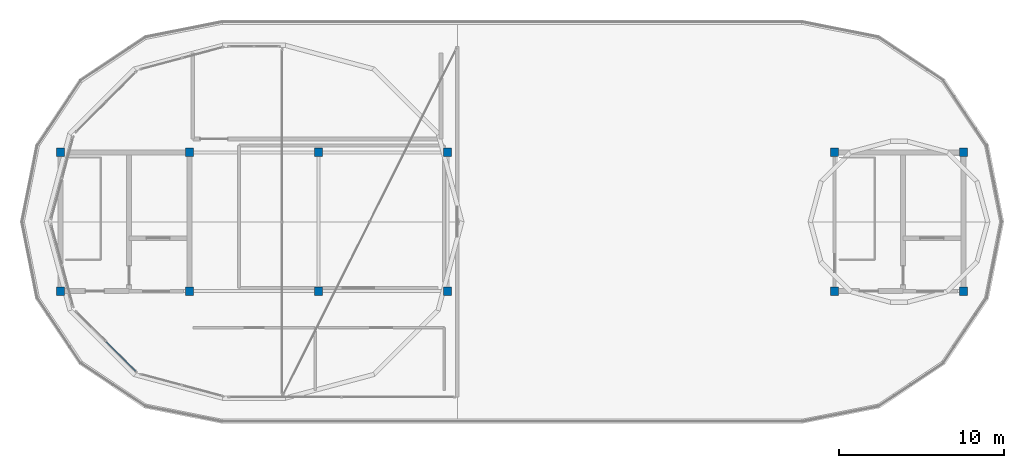
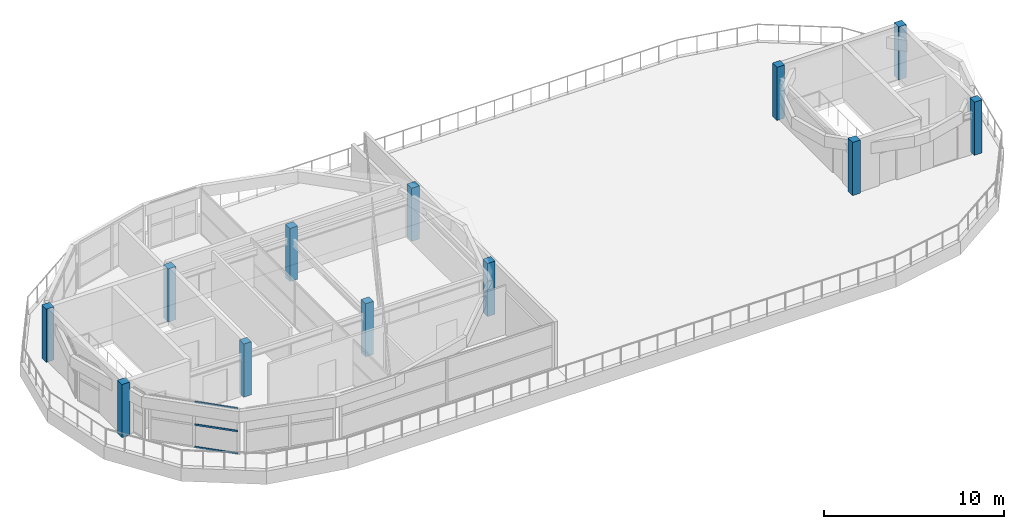
# One storey, part 1 of 15: 12 columns, 3 members, 1 element without a shape of its own.
"""IFC4 building model written with IfcOpenShell, lengths in metres."""

import ifcopenshell
import ifcopenshell.guid

model = None  # the IFC model being written
_history = None  # IfcOwnerHistory: only IFC2X3 demands one
_inside = {}  # id of a spatial element -> (the spatial element, [elements in it])
_under = {}  # id of a project, library or spatial element -> (it, [spatial elements below it])
_declared = {}  # id of a project -> (the project, [libraries it declares])
_typed = {}  # id of a type object -> (the type object, [elements of that type])
_made_of = {}  # id of a material, layer set ... -> (it, [elements and type objects made of it])


def new_model(schema):
    """Start an empty IFC model of exactly this schema.

    Asked for "IFC4X3", IfcOpenShell would pick the latest addendum, in which some entities
    have other attributes; the version numbers below select the first issue.
    IFC2X3 requires an IfcOwnerHistory on every rooted entity: one is made here for all.
    """
    global model, _history
    if schema == "IFC4X3":
        model = ifcopenshell.file(schema_version=(4, 3, 0, 0))
    else:
        model = ifcopenshell.file(schema=schema)
    _inside.clear()
    _under.clear()
    _declared.clear()
    _typed.clear()
    _made_of.clear()
    _history = None
    if model.schema == "IFC2X3":
        org = make("IfcOrganization", Name="unknown")
        user = make(
            "IfcPersonAndOrganization",
            ThePerson=make("IfcPerson", FamilyName="unknown"),
            TheOrganization=org,
        )
        app = make(
            "IfcApplication",
            ApplicationDeveloper=org,
            Version="unknown",
            ApplicationFullName="unknown",
            ApplicationIdentifier="unknown",
        )
        _history = make(
            "IfcOwnerHistory",
            OwningUser=user,
            OwningApplication=app,
            ChangeAction="ADDED",
            CreationDate=0,
        )
    return model


def make(cls, **values):
    """One entity of the class cls with the attributes given. An attribute that is None is left unset."""
    return model.create_entity(
        cls, **{name: value for name, value in values.items() if value is not None}
    )


def rooted(cls, **values):
    """An entity with a GlobalId (a new one), such as an element, a storey or a relation."""
    return make(cls, GlobalId=ifcopenshell.guid.new(), OwnerHistory=_history, **values)


def si_unit(unit_type, name, prefix=None):
    """IfcSIUnit, for example si_unit("LENGTHUNIT", "METRE", prefix="MILLI")."""
    return make("IfcSIUnit", UnitType=unit_type, Prefix=prefix, Name=name)


def assignment(units):
    """IfcUnitAssignment: the units of a project."""
    return None if units is None else make("IfcUnitAssignment", Units=units)


def point(xyz):
    """IfcCartesianPoint."""
    return None if xyz is None else make("IfcCartesianPoint", Coordinates=xyz)


def direction(xyz):
    """IfcDirection."""
    return None if xyz is None else make("IfcDirection", DirectionRatios=xyz)


def frame(location, z_axis=None, x_axis=None):
    """IfcAxis2Placement3D, a coordinate frame: its origin and axes. An axis left out is left unset."""
    return make(
        "IfcAxis2Placement3D",
        Location=point(location),
        Axis=direction(z_axis),
        RefDirection=direction(x_axis),
    )


def frame_2d(location, x_axis=None):
    """IfcAxis2Placement2D, a coordinate frame in the plane: its origin and x axis."""
    return make(
        "IfcAxis2Placement2D", Location=point(location), RefDirection=direction(x_axis)
    )


def origin():
    """The frame at (0, 0, 0) with its axes left unset."""
    return frame((0.0, 0.0, 0.0))


def origin_2d():
    """The frame at (0, 0) in the plane with its x axis left unset."""
    return frame_2d((0.0, 0.0))


def place(relative_to, where):
    """IfcLocalPlacement: puts the frame where relative to a parent placement (None: the world)."""
    return make(
        "IfcLocalPlacement", PlacementRelTo=relative_to, RelativePlacement=where
    )


def context(
    kind, dimensions, precision=None, world=None, true_north=None, identifier=None
):
    """IfcGeometricRepresentationContext, for example the 3D "Model" context."""
    return make(
        "IfcGeometricRepresentationContext",
        ContextIdentifier=identifier,
        ContextType=kind,
        CoordinateSpaceDimension=dimensions,
        Precision=precision,
        WorldCoordinateSystem=world,
        TrueNorth=true_north,
    )


def subcontext(parent, identifier, kind, view, scale=None):
    """IfcGeometricRepresentationSubContext, for example "Body" below "Model"."""
    return make(
        "IfcGeometricRepresentationSubContext",
        ContextIdentifier=identifier,
        ContextType=kind,
        ParentContext=parent,
        TargetScale=scale,
        TargetView=view,
    )


def project(units=None, contexts=None):
    """IfcProject with its units and contexts."""
    return rooted(
        "IfcProject",
        Name="project",
        RepresentationContexts=contexts,
        UnitsInContext=assignment(units),
    )


def spatial(cls, under=None, at=None, **own):
    """A site, building, storey or space (cls), placed at a placement, below another one or the project."""
    s = rooted(cls, ObjectPlacement=at, **own)
    if under is not None:
        _under.setdefault(under.id(), (under, []))[1].append(s)
    return s


def profile(cls, at=None, kind="AREA", **sizes):
    """A parametric profile (cls). Its sizes go by their IFC names, for example OverallWidth=200.0."""
    return make(cls, ProfileType=kind, Position=at, **sizes)


def rectangle(**sizes):
    """IfcRectangleProfileDef."""
    return profile("IfcRectangleProfileDef", **sizes)


def hollow_rectangle(**sizes):
    """IfcRectangleHollowProfileDef."""
    return profile("IfcRectangleHollowProfileDef", **sizes)


def extrude(swept, where, along, depth):
    """IfcExtrudedAreaSolid: the profile swept, set in the frame where, extruded along a direction by depth."""
    return make(
        "IfcExtrudedAreaSolid",
        SweptArea=swept,
        Position=where,
        ExtrudedDirection=direction(along),
        Depth=depth,
    )


def shape(context_of_items, identifier, shape_type, items):
    """IfcShapeRepresentation: the items that make up one representation, for example the "Body"."""
    return make(
        "IfcShapeRepresentation",
        ContextOfItems=context_of_items,
        RepresentationIdentifier=identifier,
        RepresentationType=shape_type,
        Items=items,
    )


def material(Name=None, Category=None):
    """IfcMaterial."""
    return make("IfcMaterial", Name=Name, Category=Category)


def layer(
    of_material, thickness, ventilated=None, Name=None, Category=None, Priority=None
):
    """IfcMaterialLayer: one layer of a wall or slab, of a material (None: an air gap)."""
    return make(
        "IfcMaterialLayer",
        Material=of_material,
        LayerThickness=thickness,
        IsVentilated=ventilated,
        Name=Name,
        Category=Category,
        Priority=Priority,
    )


def layer_set(layers, Name=None):
    """IfcMaterialLayerSet."""
    return make("IfcMaterialLayerSet", MaterialLayers=layers, LayerSetName=Name)


def material_profile(
    of_material, cross_section, Name=None, Category=None, Priority=None
):
    """IfcMaterialProfile: a cross section and its material."""
    return make(
        "IfcMaterialProfile",
        Name=Name,
        Material=of_material,
        Profile=cross_section,
        Priority=Priority,
        Category=Category,
    )


def profile_set(profiles, Name=None, composite=None):
    """IfcMaterialProfileSet."""
    return make(
        "IfcMaterialProfileSet",
        Name=Name,
        MaterialProfiles=profiles,
        CompositeProfile=composite,
    )


def made_of(thing, what):
    """Note that an element or type object is made of a material, layer set ...; save() writes the relation."""
    if what is not None:
        _made_of.setdefault(what.id(), (what, []))[1].append(thing)
    return thing


def type_object(cls, material=None, **own):
    """A type object (cls), such as IfcWallType, which elements share."""
    return made_of(rooted(cls, **own), material)


def element(
    cls,
    number,
    at=None,
    inside=None,
    cuts=None,
    type_object=None,
    material=None,
    context=None,
    identifier="Body",
    shape_type=None,
    held_by="IfcProductDefinitionShape",
    body=None,
    shapes=None,
    **own,
):
    """One element of the class cls, such as IfcWall. Its Tag is "e" and its number.

    at: its placement. inside: the storey or other place that contains it. cuts: it is an
    opening in that element (IfcRelVoidsElement). A single representation is given by context,
    identifier, shape_type and body (its items); several are given by shapes. held_by: the class
    of the entity that holds the representations. save() writes the other relations.
    """
    e = rooted(cls, Tag="e%d" % number, ObjectPlacement=at, **own)
    if body is not None:
        shapes = [shape(context, identifier, shape_type, body)]
    if shapes is not None:
        e.Representation = make(held_by, Representations=shapes)
    if inside is not None:
        _inside.setdefault(inside.id(), (inside, []))[1].append(e)
    if cuts is not None:
        rooted(
            "IfcRelVoidsElement", RelatingBuildingElement=cuts, RelatedOpeningElement=e
        )
    if type_object is not None:
        _typed.setdefault(type_object.id(), (type_object, []))[1].append(e)
    return made_of(e, material)


def aggregate(whole, parts):
    """IfcRelAggregates: a whole, such as a stair, and the parts it consists of."""
    return rooted("IfcRelAggregates", RelatingObject=whole, RelatedObjects=parts)


def save(model, path):
    """Write the relations noted so far, then the file.

    IfcRelAggregates (storeys below a building ...), IfcRelContainedInSpatialStructure (elements
    in a storey), IfcRelDefinesByType, IfcRelAssociatesMaterial and IfcRelDeclares: one each for
    every whole, place, type object, material and project.
    """
    for whole, parts in _under.values():
        aggregate(whole, parts)
    for where, things in _inside.values():
        rooted(
            "IfcRelContainedInSpatialStructure",
            RelatedElements=things,
            RelatingStructure=where,
        )
    for kind, things in _typed.values():
        rooted("IfcRelDefinesByType", RelatedObjects=things, RelatingType=kind)
    for what, things in _made_of.values():
        rooted("IfcRelAssociatesMaterial", RelatedObjects=things, RelatingMaterial=what)
    for by, libraries in _declared.values():
        rooted("IfcRelDeclares", RelatingContext=by, RelatedDefinitions=libraries)
    model.write(path)


model = new_model("IFC4")

# Units and contexts
model_context = context("Model", 3, precision=1e-05, world=origin(), true_north=direction((0.0, 1.0)))
body_context = subcontext(model_context, "Body", "Model", "MODEL_VIEW")
ifc_project = project(units=[si_unit("LENGTHUNIT", "METRE"), si_unit("AREAUNIT", "SQUARE_METRE"), si_unit("VOLUMEUNIT", "CUBIC_METRE"), si_unit("PLANEANGLEUNIT", "RADIAN"), si_unit("MASSUNIT", "GRAM", prefix="KILO")], contexts=[model_context])

# Site, building, storey
site_placement = place(None, origin())
site = spatial("IfcSite", under=ifc_project, at=site_placement, CompositionType="ELEMENT")
building_placement = place(site_placement, origin())
building = spatial("IfcBuilding", under=site, at=building_placement, Name="Zizhar Promenade General Hospital", CompositionType="ELEMENT")
storey_placement = place(building_placement, frame((0.0, 0.0, 43.199951171875)))
storey = spatial("IfcBuildingStorey", under=building, at=storey_placement, Name="Roof", CompositionType="ELEMENT", Elevation=43.199951171875)

# Columns
ifc_material_1 = material(Name="Concrete C40/50", Category="concrete")
ifc_material_profile_1 = material_profile(ifc_material_1, rectangle(XDim=0.5, YDim=0.5, at=origin_2d()))
ifc_profile_set_1 = profile_set([ifc_material_profile_1], Name="Concrete C40/50")
column_type = type_object("IfcColumnType", Name="COL-RC-500", PredefinedType="COLUMN", material=ifc_profile_set_1)
for number, where, z_axis, x_axis, name in (
    (1, (46.800048828125, 8.39990234375, 0.0), (0.0, 0.0, 1.0), (1.0, 0.0, 0.0), "Column 7-B (Roof)"),
    (2, (46.800048828125, 16.800048828125, 0.0), (0.0, 0.0, 1.0), (1.0, 0.0, 0.0), "Column 7-C (Roof)"),
    (3, (54.60009765625, 8.39990234375, 0.0), (0.0, 0.0, 1.0), (1.0, 0.0, 0.0), "Column 8-B (Roof)"),
    (4, (54.60009765625, 16.800048828125, 0.0), (0.0, 0.0, 1.0), (1.0, 0.0, 0.0), "Column 8-C (Roof)"),
    (5, (62.39990234375, 8.39990234375, 0.0), (0.0, 0.0, 1.0), (1.0, 0.0, 0.0), "Column 9-B (Roof)"),
    (6, (62.39990234375, 16.800048828125, 0.0), (0.0, 0.0, 1.0), (1.0, 0.0, 0.0), "Column 9-C (Roof)"),
    (7, (70.199951171875, 8.39990234375, 0.0), (0.0, 0.0, 1.0), (1.0, 0.0, 0.0), "Column 10-B (Roof)"),
    (8, (70.199951171875, 16.800048828125, 0.0), (0.0, 0.0, 1.0), (1.0, 0.0, 0.0), "Column 10-C (Roof)"),
    (9, (93.60009765625, 8.39990234375, 0.0), (0.0, 0.0, 1.0), (1.0, 0.0, 0.0), "Column 13-B (Roof)"),
    (10, (93.60009765625, 16.800048828125, 0.0), (0.0, 0.0, 1.0), (1.0, 0.0, 0.0), "Column 13-C (Roof)"),
    (11, (101.39990234375, 8.39990234375, 0.0), (0.0, 0.0, 1.0), (1.0, 0.0, 0.0), "Column 14-B (Roof)"),
    (12, (101.39990234375, 16.800048828125, 0.0), (0.0, 0.0, 1.0), (1.0, 0.0, 0.0), "Column 14-C (Roof)"),
):
    element("IfcColumn", number, at=place(storey_placement, frame(where, z_axis=z_axis, x_axis=x_axis)), inside=storey, type_object=column_type, Name=name, PredefinedType="COLUMN", context=body_context, shape_type="SweptSolid", body=[
        extrude(rectangle(XDim=0.5, YDim=0.5, at=origin_2d()), origin(), (0.0, 0.0, 1.0), 3.60009765625),
    ])

# Curtain wall, members
ifc_material_2 = material(Name="Anodised aluminium 6063-T6 and low-E glass", Category="aluminium")
ifc_layer = layer(ifc_material_2, 0.159912109375)
ifc_layer_set = layer_set([ifc_layer], Name="Anodised aluminium 6063-T6 and low-E glass")
curtain_wall_type = type_object("IfcCurtainWallType", Name="CW-WARD-ARC", PredefinedType="NOTDEFINED", material=ifc_layer_set)
curtain_wall_placement = place(storey_placement, origin())
curtain_wall = element("IfcCurtainWall", 13, at=curtain_wall_placement, inside=storey, type_object=curtain_wall_type, Name="Rooftop Pillow Crown Glazing 09", PredefinedType="NOTDEFINED")
ifc_material_3 = material(Name="Anodised aluminium 6063-T6", Category="aluminium")
ifc_material_profile_2 = material_profile(ifc_material_3, hollow_rectangle(XDim=0.06005859375, YDim=0.1201171875, WallThickness=0.00390625, at=origin_2d()))
ifc_profile_set_2 = profile_set([ifc_material_profile_2], Name="Anodised aluminium 6063-T6")
member_type = type_object("IfcMemberType", Name="CWT-ALU-120x60", PredefinedType="USERDEFINED", material=ifc_profile_set_2)
member_1_placement = place(storey_placement, frame((51.344482421875, 3.57568359375, 0.030029296875), z_axis=(-0.707106781187, 0.707106781187, 0.0), x_axis=(-0.707106781187, -0.707106781187, 0.0)))
member_1 = element("IfcMember", 14, at=member_1_placement, type_object=member_type, Name="CW-12 transom 1.1", ObjectType="TRANSOM", PredefinedType="USERDEFINED", context=body_context, shape_type="SweptSolid", body=[
    extrude(hollow_rectangle(XDim=0.06005859375, YDim=0.1201171875, WallThickness=0.00390625, at=origin_2d()), origin(), (0.0, 0.0, 1.0), 2.493408203125),
])
member_2_placement = place(storey_placement, frame((51.344482421875, 3.57568359375, 1.550048828125), z_axis=(-0.707106781187, 0.707106781187, 0.0), x_axis=(-0.707106781187, -0.707106781187, 0.0)))
member_2 = element("IfcMember", 15, at=member_2_placement, type_object=member_type, Name="CW-12 transom 1.2", ObjectType="TRANSOM", PredefinedType="USERDEFINED", context=body_context, shape_type="SweptSolid", body=[
    extrude(hollow_rectangle(XDim=0.06005859375, YDim=0.1201171875, WallThickness=0.00390625, at=origin_2d()), origin(), (0.0, 0.0, 1.0), 2.493408203125),
])
member_3_placement = place(storey_placement, frame((51.344482421875, 3.57568359375, 3.070068359375), z_axis=(-0.707106781187, 0.707106781187, 0.0), x_axis=(-0.707106781187, -0.707106781187, 0.0)))
member_3 = element("IfcMember", 16, at=member_3_placement, type_object=member_type, Name="CW-12 transom 1.3", ObjectType="TRANSOM", PredefinedType="USERDEFINED", context=body_context, shape_type="SweptSolid", body=[
    extrude(hollow_rectangle(XDim=0.06005859375, YDim=0.1201171875, WallThickness=0.00390625, at=origin_2d()), origin(), (0.0, 0.0, 1.0), 2.493408203125),
])
aggregate(curtain_wall, [member_1, member_2, member_3])

save(model, "model.ifc")
